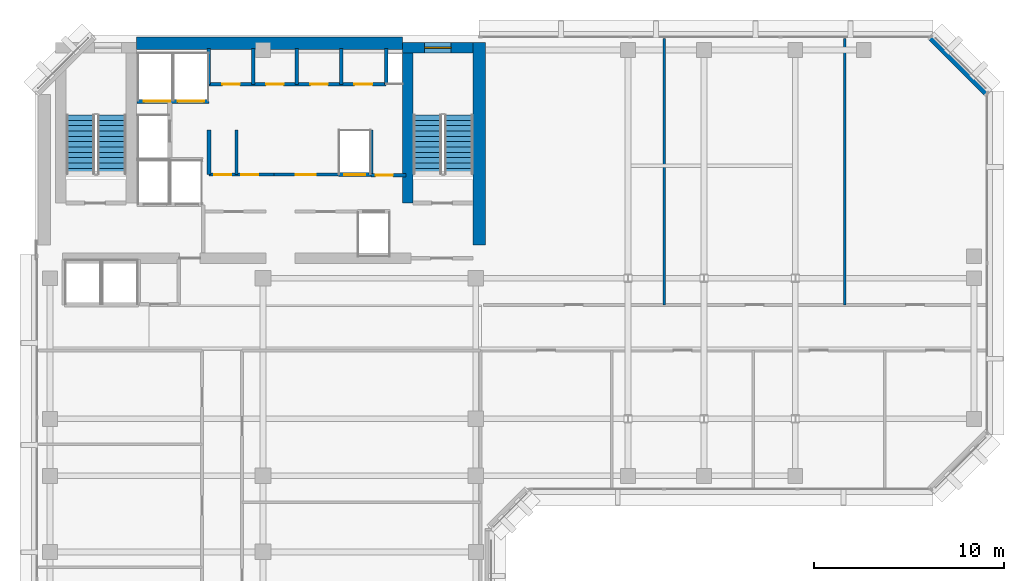
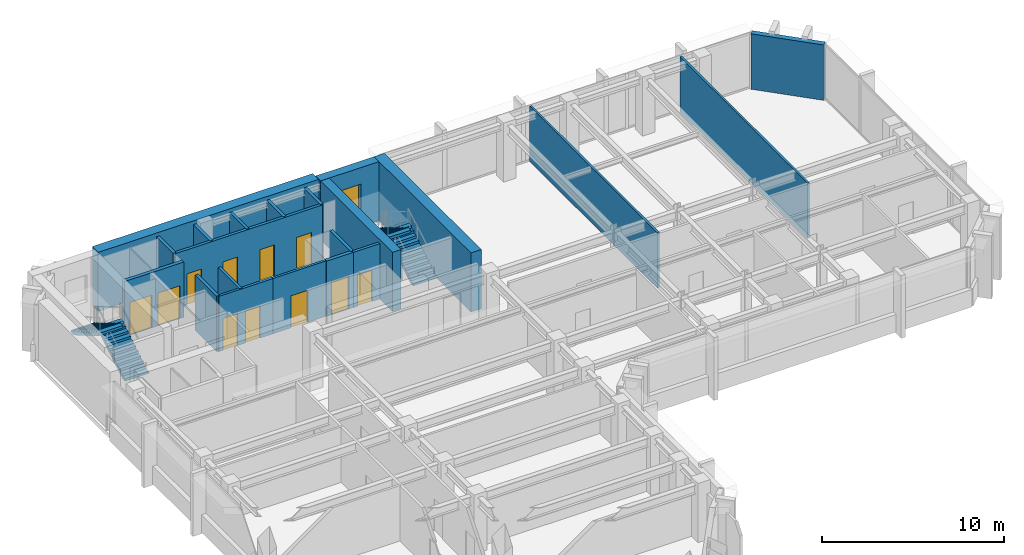
# One storey, part 8 of 12: 21 walls, 11 doors, 4 stair flights, 1 window, 12 openings, 2 elements without a shape of their own.
"""IFC4 building model written with IfcOpenShell, lengths in metres."""

from ifc_helpers import new_model, si_unit, direction, frame, frame_2d, origin, place, context, subcontext, project, spatial, polyline, rectangle, outline, extrude, material, layer, layer_set, type_object, element, fill, aggregate, save


model = new_model("IFC4")

# Units and contexts
model_context = context("Model", 3, precision=1e-05, world=origin(), true_north=direction((0.0, 1.0)))
body_context = subcontext(model_context, "Body", "Model", "MODEL_VIEW")
ifc_project = project(units=[si_unit("LENGTHUNIT", "METRE"), si_unit("AREAUNIT", "SQUARE_METRE"), si_unit("VOLUMEUNIT", "CUBIC_METRE"), si_unit("PLANEANGLEUNIT", "RADIAN"), si_unit("MASSUNIT", "GRAM", prefix="KILO")], contexts=[model_context])

# Site, building, storey
site_placement = place(None, origin())
site = spatial("IfcSite", under=ifc_project, at=site_placement, CompositionType="ELEMENT")
building_placement = place(site_placement, origin())
building = spatial("IfcBuilding", under=site, at=building_placement, Name="Kefirva Bronze Tower", CompositionType="ELEMENT")
storey_placement = place(building_placement, frame((0.0, 0.0, 256.409912109375)))
storey = spatial("IfcBuildingStorey", under=building, at=storey_placement, Name="L62", CompositionType="ELEMENT", Elevation=256.409912109375)

# Walls
ifc_material_1 = material(Name="Gypsum acoustic partition")
ifc_layer_1 = layer(ifc_material_1, 0.1298828125, Name="Gypsum acoustic partition")
ifc_layer_set_1 = layer_set([ifc_layer_1], Name="Gypsum acoustic partition")
wall_type_1 = type_object("IfcWallType", Name="Acoustic Office Partition 130mm", PredefinedType="PARTITIONING", material=ifc_layer_set_1)
for number, where, z_axis, x_axis, name in (
    (1, (33.107666015625, 31.800048828125, 0.0), (0.0, 0.0, 1.0), (0.0, 1.0, 0.0), "L62 Partition W-L62-END1"),
    (2, (42.615234375, 31.800048828125, 0.0), (0.0, 0.0, 1.0), (0.0, 1.0, 0.0), "L62 Partition W-L62-END2"),
):
    element("IfcWall", number, at=place(storey_placement, frame(where, z_axis=z_axis, x_axis=x_axis)), inside=storey, type_object=wall_type_1, Name=name, PredefinedType="PARTITIONING", context=body_context, shape_type="SweptSolid", body=[
        extrude(rectangle(XDim=14.010009765625, YDim=0.1298828125, at=frame_2d((7.0048828125, 0.0))), origin(), (0.0, 0.0, 1.0), 3.710205078125),
    ])

# Wall, opening, door
ifc_layer_2 = layer(ifc_material_1, 0.14990234375, Name="Gypsum acoustic partition")
ifc_layer_set_2 = layer_set([ifc_layer_2], Name="Gypsum acoustic partition")
wall_type_2 = type_object("IfcWallType", Name="Executive Suite Partition 150mm", PredefinedType="PARTITIONING", material=ifc_layer_set_2)
wall_1_placement = place(storey_placement, frame((12.580078125, 38.64990234375, 0.0), z_axis=(0.0, 0.0, 1.0), x_axis=(1.0, 0.0, 0.0)))
wall_1 = element("IfcWall", 3, at=wall_1_placement, inside=storey, type_object=wall_type_2, Name="L62 Partition W-L62-RECMP2", PredefinedType="PARTITIONING", context=body_context, shape_type="SweptSolid", body=[
    extrude(rectangle(XDim=3.3798828125, YDim=0.14990234375, at=frame_2d((1.68994140625, 0.0))), origin(), (0.0, 0.0, 1.0), 3.710205078125),
])
opening_1_placement = place(wall_1_placement, frame((2.199951171875, 0.0, 0.0), z_axis=(0.0, 0.0, 1.0), x_axis=(-1.0, 0.0, 0.0)))
opening_1 = element("IfcOpeningElement", 4, at=opening_1_placement, cuts=wall_1, Name="Opening L62-D-RECMP2", PredefinedType="OPENING", context=body_context, shape_type="SweptSolid", body=[
    extrude(rectangle(XDim=1.050048828125, YDim=2.14990234375, at=frame_2d((0.52490234375, 1.074951171875))), frame((0.0, 0.0849609375, 0.0), z_axis=(0.0, -1.0, 0.0), x_axis=(1.0, 0.0, 0.0)), (0.0, 0.0, 1.0), 0.169921875),
])
ifc_material_2 = material(Name="Acoustic hardwood oak", Category="wood")
door_type_1 = type_object("IfcDoorType", Name="Executive & Boardroom Door 1050x2150", OperationType="NOTDEFINED", PredefinedType="DOOR", material=ifc_material_2)
door_1_placement = place(opening_1_placement, origin())
door_1 = element("IfcDoor", 5, at=door_1_placement, inside=storey, type_object=door_type_1, Name="Door L62-D-RECMP2", OperationType="SINGLE_SWING_RIGHT", OverallHeight=2.14990234375, OverallWidth=1.050048828125, PredefinedType="DOOR", context=body_context, shape_type="SweptSolid", body=[
    extrude(rectangle(XDim=1.050048828125, YDim=2.14990234375, at=frame_2d((0.52490234375, 1.074951171875))), frame((0.0, 0.02490234375, 0.0), z_axis=(0.0, -1.0, 0.0), x_axis=(1.0, 0.0, 0.0)), (0.0, 0.0, 1.0), 0.050048828125),
])
fill(opening_1, door_1)

# Wall, openings, doors
ifc_material_3 = material(Name="Gypsum fireboard shaftwall")
ifc_layer_3 = layer(ifc_material_3, 0.219970703125, Name="Gypsum fireboard shaftwall")
ifc_layer_set_3 = layer_set([ifc_layer_3], Name="Gypsum fireboard shaftwall")
wall_type_3 = type_object("IfcWallType", Name="Fire-Rated Shaft Enclosure Wall 220mm", PredefinedType="PARTITIONING", material=ifc_layer_set_3)
wall_2_placement = place(storey_placement, frame((5.3798828125, 42.5, 0.0), z_axis=(0.0, 0.0, 1.0), x_axis=(1.0, 0.0, 0.0)))
wall_2 = element("IfcWall", 6, at=wall_2_placement, inside=storey, type_object=wall_type_3, Name="L62 Partition W-L62-SVS", PredefinedType="PARTITIONING", context=body_context, shape_type="SweptSolid", body=[
    extrude(rectangle(XDim=3.77001953125, YDim=0.219970703125, at=frame_2d((1.885009765625, 0.0))), origin(), (0.0, 0.0, 1.0), 3.710205078125),
])
opening_2_placement = place(wall_2_placement, frame((1.75, 0.0, 0.0), z_axis=(0.0, 0.0, 1.0), x_axis=(-1.0, 0.0, 0.0)))
opening_2 = element("IfcOpeningElement", 7, at=opening_2_placement, cuts=wall_2, Name="Opening L62-LD-SV1", PredefinedType="OPENING", context=body_context, shape_type="SweptSolid", body=[
    extrude(rectangle(XDim=1.39990234375, YDim=2.199951171875, at=frame_2d((0.699951171875, 1.10009765625))), frame((0.0, 0.1201171875, 0.0), z_axis=(0.0, -1.0, 0.0), x_axis=(1.0, 0.0, 0.0)), (0.0, 0.0, 1.0), 0.239990234375),
])
opening_3_placement = place(wall_2_placement, frame((3.52978515625, 0.0, 0.0), z_axis=(0.0, 0.0, 1.0), x_axis=(-1.0, 0.0, 0.0)))
opening_3 = element("IfcOpeningElement", 8, at=opening_3_placement, cuts=wall_2, Name="Opening L62-LD-SV2", PredefinedType="OPENING", context=body_context, shape_type="SweptSolid", body=[
    extrude(rectangle(XDim=1.39990234375, YDim=2.199951171875, at=frame_2d((0.699951171875, 1.10009765625))), frame((0.0, 0.1201171875, 0.0), z_axis=(0.0, -1.0, 0.0), x_axis=(1.0, 0.0, 0.0)), (0.0, 0.0, 1.0), 0.239990234375),
])
ifc_material_4 = material(Name="Stainless steel 316", Category="steel")
door_type_2 = type_object("IfcDoorType", Name="Goods Lift Bi-Parting Sliding Door 1400x2200", OperationType="SLIDING_TO_LEFT", PredefinedType="DOOR", material=ifc_material_4)
door_2_placement = place(opening_2_placement, origin())
door_2 = element("IfcDoor", 9, at=door_2_placement, inside=storey, type_object=door_type_2, Name="Door L62-LD-SV1", OperationType="SLIDING_TO_LEFT", OverallHeight=2.199951171875, OverallWidth=1.39990234375, PredefinedType="DOOR", context=body_context, shape_type="SweptSolid", body=[
    extrude(rectangle(XDim=1.39990234375, YDim=2.199951171875, at=frame_2d((0.699951171875, 1.10009765625))), frame((0.0, 0.02490234375, 0.0), z_axis=(0.0, -1.0, 0.0), x_axis=(1.0, 0.0, 0.0)), (0.0, 0.0, 1.0), 0.050048828125),
])
fill(opening_2, door_2)
door_3_placement = place(opening_3_placement, origin())
door_3 = element("IfcDoor", 10, at=door_3_placement, inside=storey, type_object=door_type_2, Name="Door L62-LD-SV2", OperationType="SLIDING_TO_LEFT", OverallHeight=2.199951171875, OverallWidth=1.39990234375, PredefinedType="DOOR", context=body_context, shape_type="SweptSolid", body=[
    extrude(rectangle(XDim=1.39990234375, YDim=2.199951171875, at=frame_2d((0.699951171875, 1.10009765625))), frame((0.0, 0.02490234375, 0.0), z_axis=(0.0, -1.0, 0.0), x_axis=(1.0, 0.0, 0.0)), (0.0, 0.0, 1.0), 0.050048828125),
])
fill(opening_3, door_3)

# Walls
for number, where, z_axis, x_axis, name in (
    (11, (9.159912109375, 38.64990234375, 0.0), (0.0, 0.0, 1.0), (0.0, 1.0, 0.0), "L62 Partition W-L62-LP3W"),
    (12, (17.679931640625, 38.64990234375, 0.0), (0.0, 0.0, 1.0), (0.0, 1.0, 0.0), "L62 Partition W-L62-HP2E"),
):
    element("IfcWall", number, at=place(storey_placement, frame(where, z_axis=z_axis, x_axis=x_axis)), inside=storey, type_object=wall_type_3, Name=name, PredefinedType="PARTITIONING", context=body_context, shape_type="SweptSolid", body=[
        extrude(rectangle(XDim=2.35009765625, YDim=0.199951171875, at=frame_2d((1.175048828125, 0.0))), origin(), (0.0, 0.0, 1.0), 3.710205078125),
    ])

# Wall, opening, door
wall_3_placement = place(storey_placement, frame((15.97998046875, 38.64990234375, 0.0), z_axis=(0.0, 0.0, 1.0), x_axis=(1.0, 0.0, 0.0)))
wall_3 = element("IfcWall", 13, at=wall_3_placement, inside=storey, type_object=wall_type_3, Name="L62 Partition W-L62-HPN", PredefinedType="PARTITIONING", context=body_context, shape_type="SweptSolid", body=[
    extrude(rectangle(XDim=1.719970703125, YDim=0.219970703125, at=frame_2d((0.85986328125, 0.0))), origin(), (0.0, 0.0, 1.0), 3.710205078125),
])
opening_4_placement = place(wall_3_placement, frame((0.300048828125, 0.0, 0.0)))
opening_4 = element("IfcOpeningElement", 14, at=opening_4_placement, cuts=wall_3, Name="Opening L62-LD-HP2", PredefinedType="OPENING", context=body_context, shape_type="SweptSolid", body=[
    extrude(rectangle(XDim=1.10009765625, YDim=2.199951171875, at=frame_2d((0.550048828125, 1.10009765625))), frame((0.0, 0.1201171875, 0.0), z_axis=(0.0, -1.0, 0.0), x_axis=(1.0, 0.0, 0.0)), (0.0, 0.0, 1.0), 0.239990234375),
])
door_type_3 = type_object("IfcDoorType", Name="Passenger Lift Sliding Landing Door 1100x2200", OperationType="SLIDING_TO_LEFT", PredefinedType="DOOR", material=ifc_material_4)
door_4_placement = place(opening_4_placement, origin())
door_4 = element("IfcDoor", 15, at=door_4_placement, inside=storey, type_object=door_type_3, Name="Door L62-LD-HP2", OperationType="SLIDING_TO_LEFT", OverallHeight=2.199951171875, OverallWidth=1.10009765625, PredefinedType="DOOR", context=body_context, shape_type="SweptSolid", body=[
    extrude(rectangle(XDim=1.10009765625, YDim=2.199951171875, at=frame_2d((0.550048828125, 1.10009765625))), frame((0.0, 0.02490234375, 0.0), z_axis=(0.0, -1.0, 0.0), x_axis=(1.0, 0.0, 0.0)), (0.0, 0.0, 1.0), 0.050048828125),
])
fill(opening_4, door_4)

ifc_material_5 = material(Name="Gypsum fireboard barrier")
ifc_layer_4 = layer(ifc_material_5, 0.199951171875, Name="Gypsum fireboard barrier")
ifc_layer_set_4 = layer_set([ifc_layer_4], Name="Gypsum fireboard barrier")
wall_type_4 = type_object("IfcWallType", Name="Firefighting Lobby Barrier Wall 200mm", PredefinedType="PARTITIONING", material=ifc_layer_set_4)
wall_4_placement = place(storey_placement, frame((17.679931640625, 38.6201171875, 0.0), z_axis=(0.0, 0.0, 1.0), x_axis=(1.0, 0.0, 0.0)))
wall_4 = element("IfcWall", 16, at=wall_4_placement, inside=storey, type_object=wall_type_4, Name="L62 Partition W-L62-CPASS", PredefinedType="PARTITIONING", context=body_context, shape_type="SweptSolid", body=[
    extrude(rectangle(XDim=1.840087890625, YDim=0.179931640625, at=frame_2d((0.919921875, 0.0))), origin(), (0.0, 0.0, 1.0), 3.710205078125),
])
opening_5_placement = place(wall_4_placement, frame((0.239990234375, 0.0, 0.0)))
opening_5 = element("IfcOpeningElement", 17, at=opening_5_placement, cuts=wall_4, Name="Opening L62-D-CPAS", PredefinedType="OPENING", context=body_context, shape_type="SweptSolid", body=[
    extrude(rectangle(XDim=0.919921875, YDim=2.10009765625, at=frame_2d((0.4599609375, 1.050048828125))), frame((0.0, 0.10009765625, 0.0), z_axis=(0.0, -1.0, 0.0), x_axis=(1.0, 0.0, 0.0)), (0.0, 0.0, 1.0), 0.199951171875),
])
ifc_material_6 = material(Name="Moisture-resistant timber", Category="wood")
door_type_4 = type_object("IfcDoorType", Name="Accessible Sanitary & WC Door 920x2100", OperationType="NOTDEFINED", PredefinedType="DOOR", material=ifc_material_6)
door_5_placement = place(opening_5_placement, origin())
door_5 = element("IfcDoor", 18, at=door_5_placement, inside=storey, type_object=door_type_4, Name="Door L62-D-CPAS", OperationType="SINGLE_SWING_RIGHT", OverallHeight=2.10009765625, OverallWidth=0.919921875, PredefinedType="DOOR", context=body_context, shape_type="SweptSolid", body=[
    extrude(rectangle(XDim=0.919921875, YDim=2.10009765625, at=frame_2d((0.4599609375, 1.050048828125))), frame((0.0, 0.02490234375, 0.0), z_axis=(0.0, -1.0, 0.0), x_axis=(1.0, 0.0, 0.0)), (0.0, 0.0, 1.0), 0.050048828125),
])
fill(opening_5, door_5)

# Wall
ifc_material_7 = material(Name="Precast concrete C40/50", Category="concrete")
ifc_layer_5 = layer(ifc_material_7, 0.320068359375, Name="Precast concrete C40/50")
ifc_layer_set_5 = layer_set([ifc_layer_5], Name="Precast concrete C40/50")
wall_type_5 = type_object("IfcWallType", Name="Precast Insulated Exterior Wall 320mm", PredefinedType="SOLIDWALL", material=ifc_layer_set_5)
wall_5_placement = place(storey_placement, frame((50.048095703125, 42.92578125, 0.0), z_axis=(0.0, 0.0, 1.0), x_axis=(-0.707136318428, 0.707077242712, 0.0)))
element("IfcWall", 19, at=wall_5_placement, inside=storey, type_object=wall_type_5, Name="L62 Exterior Facade Wall 5", PredefinedType="SOLIDWALL", context=body_context, shape_type="SweptSolid", body=[
    extrude(rectangle(XDim=4.132568359375, YDim=0.320068359375, at=frame_2d((2.06640625, 0.0))), origin(), (0.0, 0.0, 1.0), 3.710205078125),
])

# Wall, openings, doors
ifc_layer_6 = layer(ifc_material_1, 0.159912109375, Name="Gypsum acoustic partition")
ifc_layer_set_6 = layer_set([ifc_layer_6], Name="Gypsum acoustic partition")
wall_type_6 = type_object("IfcWallType", Name="Protected Corridor Partition 160mm", PredefinedType="PARTITIONING", material=ifc_layer_set_6)
wall_6_placement = place(storey_placement, frame((9.159912109375, 38.64990234375, 0.0), z_axis=(0.0, 0.0, 1.0), x_axis=(1.0, 0.0, 0.0)))
wall_6 = element("IfcWall", 20, at=wall_6_placement, inside=storey, type_object=wall_type_6, Name="L62 Partition W-L62-RECLP2", PredefinedType="PARTITIONING", context=body_context, shape_type="SweptSolid", body=[
    extrude(rectangle(XDim=3.420166015625, YDim=0.159912109375, at=frame_2d((1.7099609375, 0.0))), origin(), (0.0, 0.0, 1.0), 3.710205078125),
])
opening_6_placement = place(wall_6_placement, frame((1.179931640625, 0.0, 0.0), z_axis=(0.0, 0.0, 1.0), x_axis=(-1.0, 0.0, 0.0)))
opening_6 = element("IfcOpeningElement", 21, at=opening_6_placement, cuts=wall_6, Name="Opening L62-D-RECLP2A", PredefinedType="OPENING", context=body_context, shape_type="SweptSolid", body=[
    extrude(rectangle(XDim=0.89990234375, YDim=2.14990234375, at=frame_2d((0.449951171875, 1.074951171875))), frame((0.0, 0.08984375, 0.0), z_axis=(0.0, -1.0, 0.0), x_axis=(1.0, 0.0, 0.0)), (0.0, 0.0, 1.0), 0.179931640625),
])
opening_7_placement = place(wall_6_placement, frame((2.599853515625, 0.0, 0.0), z_axis=(0.0, 0.0, 1.0), x_axis=(-1.0, 0.0, 0.0)))
opening_7 = element("IfcOpeningElement", 22, at=opening_7_placement, cuts=wall_6, Name="Opening L62-D-RECLP2B", PredefinedType="OPENING", context=body_context, shape_type="SweptSolid", body=[
    extrude(rectangle(XDim=0.89990234375, YDim=2.14990234375, at=frame_2d((0.449951171875, 1.074951171875))), frame((0.0, 0.08984375, 0.0), z_axis=(0.0, -1.0, 0.0), x_axis=(1.0, 0.0, 0.0)), (0.0, 0.0, 1.0), 0.179931640625),
])
ifc_material_8 = material(Name="Painted galvanized steel", Category="steel")
door_type_5 = type_object("IfcDoorType", Name="Core Archive & Server Fire Door 900x2150 FD60S", OperationType="NOTDEFINED", PredefinedType="DOOR", material=ifc_material_8)
door_6_placement = place(opening_6_placement, origin())
door_6 = element("IfcDoor", 23, at=door_6_placement, inside=storey, type_object=door_type_5, Name="Door L62-D-RECLP2A", OperationType="SINGLE_SWING_LEFT", OverallHeight=2.14990234375, OverallWidth=0.89990234375, PredefinedType="DOOR", context=body_context, shape_type="SweptSolid", body=[
    extrude(rectangle(XDim=0.89990234375, YDim=2.14990234375, at=frame_2d((0.449951171875, 1.074951171875))), frame((0.0, 0.02490234375, 0.0), z_axis=(0.0, -1.0, 0.0), x_axis=(1.0, 0.0, 0.0)), (0.0, 0.0, 1.0), 0.050048828125),
])
fill(opening_6, door_6)
door_7_placement = place(opening_7_placement, origin())
door_7 = element("IfcDoor", 24, at=door_7_placement, inside=storey, type_object=door_type_5, Name="Door L62-D-RECLP2B", OperationType="SINGLE_SWING_RIGHT", OverallHeight=2.14990234375, OverallWidth=0.89990234375, PredefinedType="DOOR", context=body_context, shape_type="SweptSolid", body=[
    extrude(rectangle(XDim=0.89990234375, YDim=2.14990234375, at=frame_2d((0.449951171875, 1.074951171875))), frame((0.0, 0.02490234375, 0.0), z_axis=(0.0, -1.0, 0.0), x_axis=(1.0, 0.0, 0.0)), (0.0, 0.0, 1.0), 0.050048828125),
])
fill(opening_7, door_7)

# Wall
wall_7_placement = place(storey_placement, frame((10.60009765625, 38.64990234375, 0.0), z_axis=(0.0, 0.0, 1.0), x_axis=(0.0, 1.0, 0.0)))
element("IfcWall", 25, at=wall_7_placement, inside=storey, type_object=wall_type_6, Name="L62 Partition W-L62-RECLP2D", PredefinedType="PARTITIONING", context=body_context, shape_type="SweptSolid", body=[
    extrude(rectangle(XDim=2.35009765625, YDim=0.159912109375, at=frame_2d((1.175048828125, 0.0))), origin(), (0.0, 0.0, 1.0), 3.710205078125),
])

# Wall, opening, window
ifc_material_9 = material(Name="Concrete C50/60", Category="concrete")
ifc_layer_7 = layer(ifc_material_9, 0.550048828125, Name="Concrete C50/60")
ifc_layer_set_7 = layer_set([ifc_layer_7], Name="Concrete C50/60")
wall_type_7 = type_object("IfcWallType", Name="RC Rear Core Exterior Wall 550mm", PredefinedType="SHEAR", material=ifc_layer_set_7)
wall_8_placement = place(storey_placement, frame((19.35009765625, 45.320068359375, 0.0), z_axis=(0.0, 0.0, 1.0), x_axis=(1.0, 0.0, 0.0)))
wall_8 = element("IfcWall", 26, at=wall_8_placement, inside=storey, type_object=wall_type_7, Name="L62 Stair 2 North Shear Wall", PredefinedType="SHEAR", context=body_context, shape_type="SweptSolid", body=[
    extrude(rectangle(XDim=3.68994140625, YDim=0.550048828125, at=frame_2d((1.844970703125, 0.0))), origin(), (0.0, 0.0, 1.0), 3.960205078125),
])
opening_8_placement = place(wall_8_placement, frame((1.14990234375, 0.0, 1.050048828125)))
opening_8 = element("IfcOpeningElement", 27, at=opening_8_placement, cuts=wall_8, Name="Opening WN-03", PredefinedType="OPENING", context=body_context, shape_type="SweptSolid", body=[
    extrude(rectangle(XDim=1.39990234375, YDim=1.800048828125, at=frame_2d((0.699951171875, 0.89990234375))), frame((0.0, 0.28515625, 0.0), z_axis=(0.0, -1.0, 0.0), x_axis=(1.0, 0.0, 0.0)), (0.0, 0.0, 1.0), 0.570068359375),
])
ifc_material_10 = material(Name="Laminated low-E double glazing", Category="glass")
window_type = type_object("IfcWindowType", Name="Rear-Core Stair Daylight Window 1400x1800", PartitioningType="SINGLE_PANEL", PredefinedType="WINDOW", material=ifc_material_10)
window_placement = place(opening_8_placement, origin())
window = element("IfcWindow", 28, at=window_placement, inside=storey, type_object=window_type, Name="L62 Stair 2 Daylight Window", OverallHeight=1.800048828125, OverallWidth=1.39990234375, PartitioningType="SINGLE_PANEL", PredefinedType="WINDOW", context=body_context, shape_type="SweptSolid", body=[
    extrude(rectangle(XDim=1.39990234375, YDim=1.800048828125, at=frame_2d((0.699951171875, 0.89990234375))), frame((0.0, 0.030029296875, 0.0), z_axis=(0.0, -1.0, 0.0), x_axis=(1.0, 0.0, 0.0)), (0.0, 0.0, 1.0), 0.06005859375),
])
fill(opening_8, window)

# Walls
ifc_layer_8 = layer(ifc_material_9, 0.64990234375, Name="Concrete C50/60")
ifc_layer_set_8 = layer_set([ifc_layer_8], Name="Concrete C50/60")
wall_type_8 = type_object("IfcWallType", Name="RC Rear Core Exterior Wall 650mm", PredefinedType="SHEAR", material=ifc_layer_set_8)
wall_9_placement = place(storey_placement, frame((5.360107421875, 45.550048828125, 0.0), z_axis=(0.0, 0.0, 1.0), x_axis=(1.0, 0.0, 0.0)))
element("IfcWall", 29, at=wall_9_placement, inside=storey, type_object=wall_type_8, Name="L62 Rear Core North Shear Wall", PredefinedType="SHEAR", context=body_context, shape_type="SweptSolid", body=[
    extrude(rectangle(XDim=13.97998046875, YDim=0.64990234375, at=frame_2d((6.989990234375, 0.0))), origin(), (0.0, 0.0, 1.0), 3.960205078125),
])
ifc_layer_9 = layer(ifc_material_9, 0.550048828125, Name="Concrete C50/60")
ifc_layer_set_9 = layer_set([ifc_layer_9], Name="Concrete C50/60")
wall_type_9 = type_object("IfcWallType", Name="RC Rear Core Interior Wall 550mm", PredefinedType="SHEAR", material=ifc_layer_set_9)
wall_10_placement = place(storey_placement, frame((19.6201171875, 37.14990234375, 0.0), z_axis=(0.0, 0.0, 1.0), x_axis=(0.0, 1.0, 0.0)))
element("IfcWall", 30, at=wall_10_placement, inside=storey, type_object=wall_type_9, Name="L62 Stair 2 West Shear Wall", PredefinedType="SHEAR", context=body_context, shape_type="SweptSolid", body=[
    extrude(rectangle(XDim=7.89013671875, YDim=0.550048828125, at=frame_2d((3.945068359375, 0.0))), origin(), (0.0, 0.0, 1.0), 3.960205078125),
])
ifc_layer_10 = layer(ifc_material_9, 0.64990234375, Name="Concrete C50/60")
ifc_layer_set_10 = layer_set([ifc_layer_10], Name="Concrete C50/60")
wall_type_10 = type_object("IfcWallType", Name="RC Rear Core Interior Wall 650mm", PredefinedType="SHEAR", material=ifc_layer_set_10)
wall_11_placement = place(storey_placement, frame((23.375, 34.949951171875, 0.0), z_axis=(0.0, 0.0, 1.0), x_axis=(0.0, 1.0, 0.0)))
element("IfcWall", 31, at=wall_11_placement, inside=storey, type_object=wall_type_10, Name="L62 Rear Core East Shear Wall", PredefinedType="SHEAR", context=body_context, shape_type="SweptSolid", body=[
    extrude(rectangle(XDim=10.64013671875, YDim=0.64990234375, at=frame_2d((5.320068359375, 0.0))), origin(), (0.0, 0.0, 1.0), 3.960205078125),
])

# Wall, openings, doors
ifc_material_11 = material(Name="Moisture-resistant partition")
ifc_layer_11 = layer(ifc_material_11, 0.179931640625, Name="Moisture-resistant partition")
ifc_layer_set_11 = layer_set([ifc_layer_11], Name="Moisture-resistant partition")
wall_type_11 = type_object("IfcWallType", Name="Sanitary Plumbing Chase Wall 180mm", PredefinedType="PLUMBINGWALL", material=ifc_layer_set_11)
wall_12_placement = place(storey_placement, frame((9.14990234375, 43.39990234375, 0.0), z_axis=(0.0, 0.0, 1.0), x_axis=(1.0, 0.0, 0.0)))
wall_12 = element("IfcWall", 32, at=wall_12_placement, inside=storey, type_object=wall_type_11, Name="L62 Partition W-L62-SVCS", PredefinedType="PLUMBINGWALL", context=body_context, shape_type="SweptSolid", body=[
    extrude(rectangle(XDim=9.330078125, YDim=0.179931640625, at=frame_2d((4.6650390625, 0.0))), origin(), (0.0, 0.0, 1.0), 3.710205078125),
])
opening_9_placement = place(wall_12_placement, frame((0.719970703125, 0.0, 0.0)))
opening_9 = element("IfcOpeningElement", 33, at=opening_9_placement, cuts=wall_12, Name="Opening L62-D-CSVC1", PredefinedType="OPENING", context=body_context, shape_type="SweptSolid", body=[
    extrude(rectangle(XDim=0.919921875, YDim=2.10009765625, at=frame_2d((0.4599609375, 1.050048828125))), frame((0.0, 0.10009765625, 0.0), z_axis=(0.0, -1.0, 0.0), x_axis=(1.0, 0.0, 0.0)), (0.0, 0.0, 1.0), 0.199951171875),
])
opening_10_placement = place(wall_12_placement, frame((3.02001953125, 0.0, 0.0)))
opening_10 = element("IfcOpeningElement", 34, at=opening_10_placement, cuts=wall_12, Name="Opening L62-D-CSVC2", PredefinedType="OPENING", context=body_context, shape_type="SweptSolid", body=[
    extrude(rectangle(XDim=0.919921875, YDim=2.10009765625, at=frame_2d((0.4599609375, 1.050048828125))), frame((0.0, 0.10009765625, 0.0), z_axis=(0.0, -1.0, 0.0), x_axis=(1.0, 0.0, 0.0)), (0.0, 0.0, 1.0), 0.199951171875),
])
opening_11_placement = place(wall_12_placement, frame((5.340087890625, 0.0, 0.0)))
opening_11 = element("IfcOpeningElement", 35, at=opening_11_placement, cuts=wall_12, Name="Opening L62-D-CSVC3", PredefinedType="OPENING", context=body_context, shape_type="SweptSolid", body=[
    extrude(rectangle(XDim=0.919921875, YDim=2.10009765625, at=frame_2d((0.4599609375, 1.050048828125))), frame((0.0, 0.10009765625, 0.0), z_axis=(0.0, -1.0, 0.0), x_axis=(1.0, 0.0, 0.0)), (0.0, 0.0, 1.0), 0.199951171875),
])
opening_12_placement = place(wall_12_placement, frame((7.659912109375, 0.0, 0.0)))
opening_12 = element("IfcOpeningElement", 36, at=opening_12_placement, cuts=wall_12, Name="Opening L62-D-CSVC4", PredefinedType="OPENING", context=body_context, shape_type="SweptSolid", body=[
    extrude(rectangle(XDim=0.949951171875, YDim=2.10009765625, at=frame_2d((0.47509765625, 1.050048828125))), frame((0.0, 0.10009765625, 0.0), z_axis=(0.0, -1.0, 0.0), x_axis=(1.0, 0.0, 0.0)), (0.0, 0.0, 1.0), 0.199951171875),
])
door_8_placement = place(opening_9_placement, origin())
door_8 = element("IfcDoor", 37, at=door_8_placement, inside=storey, type_object=door_type_4, Name="Door L62-D-CSVC1", OperationType="SINGLE_SWING_LEFT", OverallHeight=2.10009765625, OverallWidth=0.919921875, PredefinedType="DOOR", context=body_context, shape_type="SweptSolid", body=[
    extrude(rectangle(XDim=0.919921875, YDim=2.10009765625, at=frame_2d((0.4599609375, 1.050048828125))), frame((0.0, 0.02490234375, 0.0), z_axis=(0.0, -1.0, 0.0), x_axis=(1.0, 0.0, 0.0)), (0.0, 0.0, 1.0), 0.050048828125),
])
fill(opening_9, door_8)
door_9_placement = place(opening_10_placement, origin())
door_9 = element("IfcDoor", 38, at=door_9_placement, inside=storey, type_object=door_type_4, Name="Door L62-D-CSVC2", OperationType="SINGLE_SWING_RIGHT", OverallHeight=2.10009765625, OverallWidth=0.919921875, PredefinedType="DOOR", context=body_context, shape_type="SweptSolid", body=[
    extrude(rectangle(XDim=0.919921875, YDim=2.10009765625, at=frame_2d((0.4599609375, 1.050048828125))), frame((0.0, 0.02490234375, 0.0), z_axis=(0.0, -1.0, 0.0), x_axis=(1.0, 0.0, 0.0)), (0.0, 0.0, 1.0), 0.050048828125),
])
fill(opening_10, door_9)
door_10_placement = place(opening_11_placement, origin())
door_10 = element("IfcDoor", 39, at=door_10_placement, inside=storey, type_object=door_type_4, Name="Door L62-D-CSVC3", OperationType="SINGLE_SWING_LEFT", OverallHeight=2.10009765625, OverallWidth=0.919921875, PredefinedType="DOOR", context=body_context, shape_type="SweptSolid", body=[
    extrude(rectangle(XDim=0.919921875, YDim=2.10009765625, at=frame_2d((0.4599609375, 1.050048828125))), frame((0.0, 0.02490234375, 0.0), z_axis=(0.0, -1.0, 0.0), x_axis=(1.0, 0.0, 0.0)), (0.0, 0.0, 1.0), 0.050048828125),
])
fill(opening_11, door_10)
door_type_6 = type_object("IfcDoorType", Name="Riser & Plant Shaft Fire Door 950x2100 FD60S", OperationType="NOTDEFINED", PredefinedType="DOOR", material=ifc_material_8)
door_11_placement = place(opening_12_placement, origin())
door_11 = element("IfcDoor", 40, at=door_11_placement, inside=storey, type_object=door_type_6, Name="Door L62-D-CSVC4", OperationType="SINGLE_SWING_RIGHT", OverallHeight=2.10009765625, OverallWidth=0.949951171875, PredefinedType="DOOR", context=body_context, shape_type="SweptSolid", body=[
    extrude(rectangle(XDim=0.949951171875, YDim=2.10009765625, at=frame_2d((0.47509765625, 1.050048828125))), frame((0.0, 0.02490234375, 0.0), z_axis=(0.0, -1.0, 0.0), x_axis=(1.0, 0.0, 0.0)), (0.0, 0.0, 1.0), 0.050048828125),
])
fill(opening_12, door_11)

# Walls
for number, where, z_axis, x_axis, name in (
    (41, (9.14990234375, 43.39990234375, 0.0), (0.0, 0.0, 1.0), (0.0, 1.0, 0.0), "L62 Partition W-L62-SVCW"),
    (42, (18.47998046875, 43.39990234375, 0.0), (0.0, 0.0, 1.0), (0.0, 1.0, 0.0), "L62 Partition W-L62-SVCE"),
    (43, (11.47998046875, 43.39990234375, 0.0), (0.0, 0.0, 1.0), (0.0, 1.0, 0.0), "L62 Partition W-L62-CSVD-1"),
    (44, (13.780029296875, 43.39990234375, 0.0), (0.0, 0.0, 1.0), (0.0, 1.0, 0.0), "L62 Partition W-L62-CSVD-2"),
    (45, (16.1201171875, 43.39990234375, 0.0), (0.0, 0.0, 1.0), (0.0, 1.0, 0.0), "L62 Partition W-L62-CSVD-3"),
):
    element("IfcWall", number, at=place(storey_placement, frame(where, z_axis=z_axis, x_axis=x_axis)), inside=storey, type_object=wall_type_11, Name=name, PredefinedType="PLUMBINGWALL", context=body_context, shape_type="SweptSolid", body=[
        extrude(rectangle(XDim=1.880126953125, YDim=0.179931640625, at=frame_2d((0.93994140625, 0.0))), origin(), (0.0, 0.0, 1.0), 3.710205078125),
    ])

# Stair, stair flights
ifc_material_12 = material(Name="Concrete C40/50", Category="concrete")
stair_type = type_object("IfcStairType", Name="RC Dogleg Protected Stair 24R", PredefinedType="HALF_TURN_STAIR", material=ifc_material_12)
stair_1_placement = place(storey_placement, origin())
stair_1 = element("IfcStair", 46, at=stair_1_placement, inside=storey, type_object=stair_type, Name="L62 Protected Exit Stair 1", PredefinedType="HALF_TURN_STAIR")
stair_flight_type = type_object("IfcStairFlightType", Name="RC Straight Stair Flight 24R", PredefinedType="STRAIGHT", material=ifc_material_12)
stair_flight_1_placement = place(storey_placement, frame((4.050048828125, 38.699951171875, 0.0), z_axis=(0.0, 0.0, 1.0), x_axis=(0.0, 1.0, 0.0)))
stair_flight_1 = element("IfcStairFlight", 47, at=stair_flight_1_placement, type_object=stair_flight_type, Name="ST-1 flight 1", NumberOfRisers=12, NumberOfTreads=11, PredefinedType="STRAIGHT", RiserHeight=0.165, TreadLength=0.28, context=body_context, shape_type="SweptSolid", body=[
    extrude(outline(polyline([(0.0, 0.0), (0.0, 0.1650390625), (0.280029296875, 0.1650390625), (0.280029296875, 0.330078125), (0.56005859375, 0.330078125), (0.56005859375, 0.4951171875), (0.840087890625, 0.4951171875), (0.840087890625, 0.659912109375), (1.1201171875, 0.659912109375), (1.1201171875, 0.824951171875), (1.39990234375, 0.824951171875), (1.39990234375, 0.989990234375), (1.679931640625, 0.989990234375), (1.679931640625, 1.155029296875), (1.9599609375, 1.155029296875), (1.9599609375, 1.320068359375), (2.239990234375, 1.320068359375), (2.239990234375, 1.485107421875), (2.52001953125, 1.485107421875), (2.52001953125, 1.64990234375), (2.800048828125, 1.64990234375), (2.800048828125, 1.81494140625), (3.080078125, 1.81494140625), (3.080078125, 1.97998046875), (3.080078125, 1.64111328125), (0.295166015625, 0.0), (0.0, 0.0)])), frame((0.0, 0.75, 0.0), z_axis=(0.0, -1.0, 0.0), x_axis=(1.0, 0.0, 0.0)), (0.0, 0.0, 1.0), 1.5),
])
stair_flight_2_placement = place(storey_placement, frame((2.39990234375, 41.780029296875, 1.97998046875), z_axis=(0.0, 0.0, 1.0), x_axis=(0.0, -1.0, 0.0)))
stair_flight_2 = element("IfcStairFlight", 48, at=stair_flight_2_placement, type_object=stair_flight_type, Name="ST-1 flight 2", NumberOfRisers=12, NumberOfTreads=11, PredefinedType="STRAIGHT", RiserHeight=0.165, TreadLength=0.28, context=body_context, shape_type="SweptSolid", body=[
    extrude(outline(polyline([(0.0, 0.0), (0.0, 0.1650390625), (0.280029296875, 0.1650390625), (0.280029296875, 0.330078125), (0.56005859375, 0.330078125), (0.56005859375, 0.4951171875), (0.840087890625, 0.4951171875), (0.840087890625, 0.659912109375), (1.1201171875, 0.659912109375), (1.1201171875, 0.824951171875), (1.39990234375, 0.824951171875), (1.39990234375, 0.989990234375), (1.679931640625, 0.989990234375), (1.679931640625, 1.155029296875), (1.9599609375, 1.155029296875), (1.9599609375, 1.320068359375), (2.239990234375, 1.320068359375), (2.239990234375, 1.485107421875), (2.52001953125, 1.485107421875), (2.52001953125, 1.64990234375), (2.800048828125, 1.64990234375), (2.800048828125, 1.81494140625), (3.080078125, 1.81494140625), (3.080078125, 1.97998046875), (3.080078125, 1.64111328125), (0.295166015625, 0.0), (0.0, 0.0)])), frame((0.0, 0.75, 0.0), z_axis=(0.0, -1.0, 0.0), x_axis=(1.0, 0.0, 0.0)), (0.0, 0.0, 1.0), 1.5),
])
aggregate(stair_1, [stair_flight_1, stair_flight_2])

stair_2_placement = place(storey_placement, origin())
stair_2 = element("IfcStair", 49, at=stair_2_placement, inside=storey, type_object=stair_type, Name="L62 Protected Exit Stair 2", PredefinedType="HALF_TURN_STAIR")
stair_flight_3_placement = place(storey_placement, frame((22.300048828125, 38.699951171875, 0.0), z_axis=(0.0, 0.0, 1.0), x_axis=(0.0, 1.0, 0.0)))
stair_flight_3 = element("IfcStairFlight", 50, at=stair_flight_3_placement, type_object=stair_flight_type, Name="ST-2 flight 1", NumberOfRisers=12, NumberOfTreads=11, PredefinedType="STRAIGHT", RiserHeight=0.165, TreadLength=0.28, context=body_context, shape_type="SweptSolid", body=[
    extrude(outline(polyline([(0.0, 0.0), (0.0, 0.1650390625), (0.280029296875, 0.1650390625), (0.280029296875, 0.330078125), (0.56005859375, 0.330078125), (0.56005859375, 0.4951171875), (0.840087890625, 0.4951171875), (0.840087890625, 0.659912109375), (1.1201171875, 0.659912109375), (1.1201171875, 0.824951171875), (1.39990234375, 0.824951171875), (1.39990234375, 0.989990234375), (1.679931640625, 0.989990234375), (1.679931640625, 1.155029296875), (1.9599609375, 1.155029296875), (1.9599609375, 1.320068359375), (2.239990234375, 1.320068359375), (2.239990234375, 1.485107421875), (2.52001953125, 1.485107421875), (2.52001953125, 1.64990234375), (2.800048828125, 1.64990234375), (2.800048828125, 1.81494140625), (3.080078125, 1.81494140625), (3.080078125, 1.97998046875), (3.080078125, 1.64111328125), (0.295166015625, 0.0), (0.0, 0.0)])), frame((0.0, 0.75, 0.0), z_axis=(0.0, -1.0, 0.0), x_axis=(1.0, 0.0, 0.0)), (0.0, 0.0, 1.0), 1.5),
])
stair_flight_4_placement = place(storey_placement, frame((20.64990234375, 41.780029296875, 1.97998046875), z_axis=(0.0, 0.0, 1.0), x_axis=(0.0, -1.0, 0.0)))
stair_flight_4 = element("IfcStairFlight", 51, at=stair_flight_4_placement, type_object=stair_flight_type, Name="ST-2 flight 2", NumberOfRisers=12, NumberOfTreads=11, PredefinedType="STRAIGHT", RiserHeight=0.165, TreadLength=0.28, context=body_context, shape_type="SweptSolid", body=[
    extrude(outline(polyline([(0.0, 0.0), (0.0, 0.1650390625), (0.280029296875, 0.1650390625), (0.280029296875, 0.330078125), (0.56005859375, 0.330078125), (0.56005859375, 0.4951171875), (0.840087890625, 0.4951171875), (0.840087890625, 0.659912109375), (1.1201171875, 0.659912109375), (1.1201171875, 0.824951171875), (1.39990234375, 0.824951171875), (1.39990234375, 0.989990234375), (1.679931640625, 0.989990234375), (1.679931640625, 1.155029296875), (1.9599609375, 1.155029296875), (1.9599609375, 1.320068359375), (2.239990234375, 1.320068359375), (2.239990234375, 1.485107421875), (2.52001953125, 1.485107421875), (2.52001953125, 1.64990234375), (2.800048828125, 1.64990234375), (2.800048828125, 1.81494140625), (3.080078125, 1.81494140625), (3.080078125, 1.97998046875), (3.080078125, 1.64111328125), (0.295166015625, 0.0), (0.0, 0.0)])), frame((0.0, 0.75, 0.0), z_axis=(0.0, -1.0, 0.0), x_axis=(1.0, 0.0, 0.0)), (0.0, 0.0, 1.0), 1.5),
])
aggregate(stair_2, [stair_flight_3, stair_flight_4])

save(model, "model.ifc")
